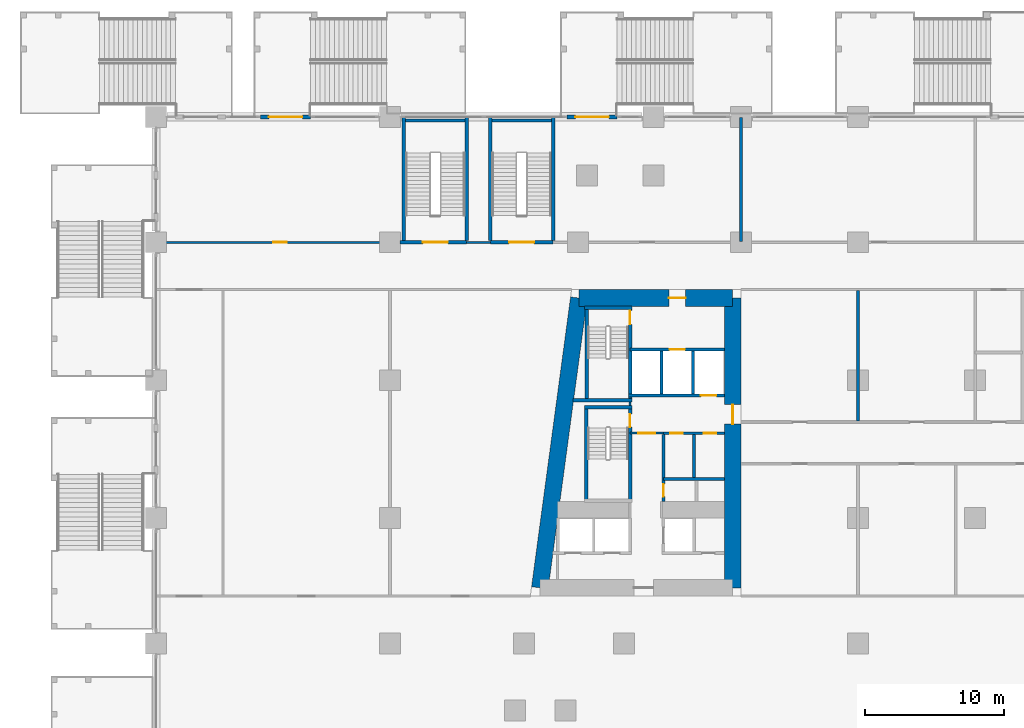
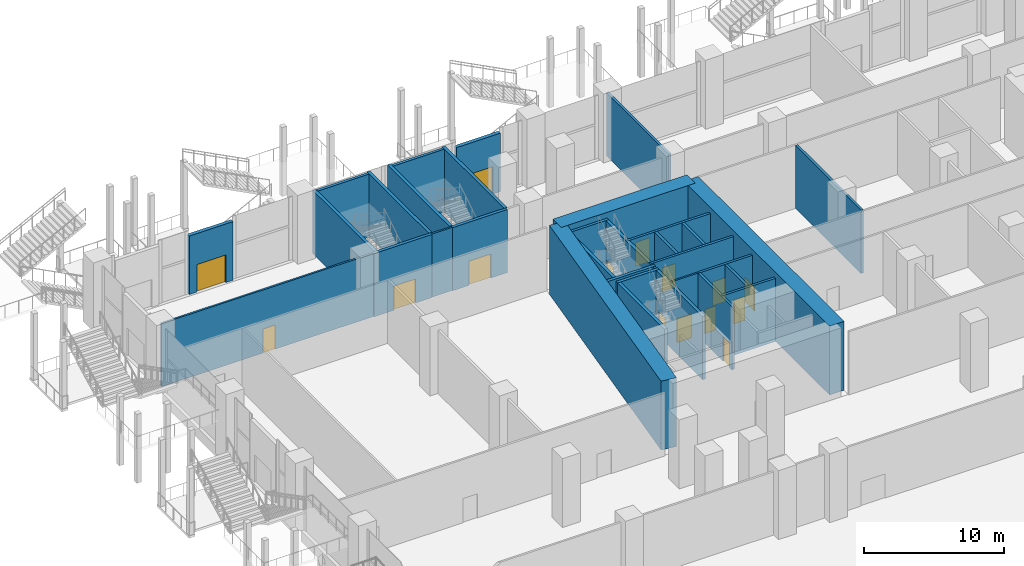
# One storey, part 26 of 49: 34 walls, 15 doors, 15 openings.
"""IFC4 building model written with IfcOpenShell, lengths in metres."""

from ifc_helpers import new_model, si_unit, direction, frame, frame_2d, origin, place, context, subcontext, project, spatial, rectangle, extrude, material, layer, layer_set, type_object, element, fill, save


model = new_model("IFC4")

# Units and contexts
model_context = context("Model", 3, precision=1e-05, world=origin(), true_north=direction((0.0, 1.0)))
body_context = subcontext(model_context, "Body", "Model", "MODEL_VIEW")
ifc_project = project(units=[si_unit("LENGTHUNIT", "METRE"), si_unit("AREAUNIT", "SQUARE_METRE"), si_unit("VOLUMEUNIT", "CUBIC_METRE"), si_unit("PLANEANGLEUNIT", "RADIAN"), si_unit("MASSUNIT", "GRAM", prefix="KILO")], contexts=[model_context])

# Site, building, storey
site_placement = place(None, origin())
site = spatial("IfcSite", under=ifc_project, at=site_placement, CompositionType="ELEMENT")
building_placement = place(site_placement, origin())
building = spatial("IfcBuilding", under=site, at=building_placement, Name="Candeia Pilgrim Tower and Theatre", CompositionType="ELEMENT")
storey_placement = place(building_placement, frame((0.0, 0.0, 17.0)))
storey = spatial("IfcBuildingStorey", under=building, at=storey_placement, Name="L02", CompositionType="ELEMENT", Elevation=17.0)

# Wall, opening, door
ifc_material_1 = material(Name="Concrete C80/95", Category="concrete")
ifc_layer_1 = layer(ifc_material_1, 1.199951171875)
ifc_layer_set_1 = layer_set([ifc_layer_1], Name="Core wall 1200 C80/95")
wall_type_1 = type_object("IfcWallType", Name="Core wall 1200 C80/95", PredefinedType="SHEAR", material=ifc_layer_set_1)
wall_1_placement = place(storey_placement, frame((89.155517578125, 131.800048828125, 0.0), z_axis=(0.0, 0.0, 1.0), x_axis=(1.0, 0.0, 0.0)))
wall_1 = element("IfcWall", 1, at=wall_1_placement, inside=storey, type_object=wall_type_1, Name="Core wall W1", PredefinedType="SHEAR", context=body_context, shape_type="SweptSolid", body=[
    extrude(rectangle(XDim=11.04443359375, YDim=1.199951171875, at=frame_2d((5.522216796875, 0.0))), origin(), (0.0, 0.0, 1.0), 6.0),
])
opening_1_placement = place(wall_1_placement, frame((6.4580078125, 0.0, 0.0)))
opening_1 = element("IfcOpeningElement", 2, at=opening_1_placement, cuts=wall_1, Name="Opening L02-D046", PredefinedType="OPENING", context=body_context, shape_type="SweptSolid", body=[
    extrude(rectangle(XDim=1.199951171875, YDim=2.10009765625, at=frame_2d((0.60009765625, 1.050048828125))), frame((0.0, 0.60986328125, 0.0), z_axis=(0.0, -1.0, 0.0), x_axis=(1.0, 0.0, 0.0)), (0.0, 0.0, 1.0), 1.219970703125),
])
ifc_material_2 = material(Name="Steel fire door set", Category="steel")
door_type_1 = type_object("IfcDoorType", Name="D-1200-FD60", OperationType="NOTDEFINED", PredefinedType="DOOR", material=ifc_material_2)
door_1_placement = place(opening_1_placement, origin())
door_1 = element("IfcDoor", 3, at=door_1_placement, inside=storey, type_object=door_type_1, Name="Door L02-D046", OperationType="SINGLE_SWING_RIGHT", OverallHeight=2.10009765625, OverallWidth=1.199951171875, PredefinedType="DOOR", context=body_context, shape_type="SweptSolid", body=[
    extrude(rectangle(XDim=1.199951171875, YDim=2.10009765625, at=frame_2d((0.60009765625, 1.050048828125))), frame((0.0, 0.02490234375, 0.0), z_axis=(0.0, -1.0, 0.0), x_axis=(1.0, 0.0, 0.0)), (0.0, 0.0, 1.0), 0.050048828125),
])
fill(opening_1, door_1)

wall_2_placement = place(storey_placement, frame((100.199951171875, 131.800048828125, 0.0), z_axis=(0.0, 0.0, 1.0), x_axis=(0.0, -1.0, 0.0)))
wall_2 = element("IfcWall", 4, at=wall_2_placement, inside=storey, type_object=wall_type_1, Name="Core wall W2", PredefinedType="SHEAR", context=body_context, shape_type="SweptSolid", body=[
    extrude(rectangle(XDim=20.800048828125, YDim=1.199951171875, at=frame_2d((10.39990234375, 0.0))), origin(), (0.0, 0.0, 1.0), 6.0),
])
opening_2_placement = place(wall_2_placement, frame((7.64990234375, 0.0, 0.0)))
opening_2 = element("IfcOpeningElement", 5, at=opening_2_placement, cuts=wall_2, Name="Opening L02-D047", PredefinedType="OPENING", context=body_context, shape_type="SweptSolid", body=[
    extrude(rectangle(XDim=1.39990234375, YDim=2.10009765625, at=frame_2d((0.699951171875, 1.050048828125))), frame((0.0, 0.60986328125, 0.0), z_axis=(0.0, -1.0, 0.0), x_axis=(1.0, 0.0, 0.0)), (0.0, 0.0, 1.0), 1.219970703125),
])
door_type_2 = type_object("IfcDoorType", Name="D-1400-FD60", OperationType="NOTDEFINED", PredefinedType="DOOR", material=ifc_material_2)
door_2_placement = place(opening_2_placement, origin())
door_2 = element("IfcDoor", 6, at=door_2_placement, inside=storey, type_object=door_type_2, Name="Door L02-D047", OperationType="SINGLE_SWING_LEFT", OverallHeight=2.10009765625, OverallWidth=1.39990234375, PredefinedType="DOOR", context=body_context, shape_type="SweptSolid", body=[
    extrude(rectangle(XDim=1.39990234375, YDim=2.10009765625, at=frame_2d((0.699951171875, 1.050048828125))), frame((0.0, 0.02490234375, 0.0), z_axis=(0.0, -1.0, 0.0), x_axis=(1.0, 0.0, 0.0)), (0.0, 0.0, 1.0), 0.050048828125),
])
fill(opening_2, door_2)

# Wall
wall_3_placement = place(storey_placement, frame((86.35546875, 111.0, 0.0), z_axis=(0.0, 0.0, 1.0), x_axis=(0.133413989637, 0.99106039542, 0.0)))
element("IfcWall", 7, at=wall_3_placement, inside=storey, type_object=wall_type_1, Name="Core wall W4", PredefinedType="SHEAR", context=body_context, shape_type="SweptSolid", body=[
    extrude(rectangle(XDim=20.987548828125, YDim=1.199951171875, at=frame_2d((10.49365234375, 0.0))), origin(), (0.0, 0.0, 1.0), 6.0),
])

# Wall, opening, door
ifc_material_3 = material(Name="Ceramic block masonry", Category="masonry")
ifc_layer_2 = layer(ifc_material_3, 0.300048828125)
ifc_layer_set_2 = layer_set([ifc_layer_2], Name="EW2 entrance infill wall 300")
wall_type_2 = type_object("IfcWallType", Name="EW2 entrance infill wall 300", PredefinedType="SOLIDWALL", material=ifc_layer_set_2)
wall_4_placement = place(storey_placement, frame((66.300048828125, 144.800048828125, 0.0), z_axis=(0.0, 0.0, 1.0), x_axis=(1.0, 0.0, 0.0)))
wall_4 = element("IfcWall", 8, at=wall_4_placement, inside=storey, type_object=wall_type_2, Name="Entrance wall L02", PredefinedType="SOLIDWALL", context=body_context, shape_type="SweptSolid", body=[
    extrude(rectangle(XDim=3.599853515625, YDim=0.300048828125, at=frame_2d((1.7998046875, 0.0))), origin(), (0.0, 0.0, 1.0), 5.10009765625),
])
opening_3_placement = place(wall_4_placement, frame((0.60009765625, 0.0, 0.0)))
opening_3 = element("IfcOpeningElement", 9, at=opening_3_placement, cuts=wall_4, Name="Opening L02-ED049", PredefinedType="OPENING", context=body_context, shape_type="SweptSolid", body=[
    extrude(rectangle(XDim=2.39990234375, YDim=2.39990234375, at=frame_2d((1.199951171875, 1.199951171875))), frame((0.0, 0.16015625, 0.0), z_axis=(0.0, -1.0, 0.0), x_axis=(1.0, 0.0, 0.0)), (0.0, 0.0, 1.0), 0.320068359375),
])
ifc_material_4 = material(Name="Aluminium framed glazed door", Category="aluminium")
door_type_3 = type_object("IfcDoorType", Name="ED entrance double door 2400x2400", OperationType="DOUBLE_DOOR_DOUBLE_SWING", PredefinedType="DOOR", material=ifc_material_4)
door_3_placement = place(opening_3_placement, origin())
door_3 = element("IfcDoor", 10, at=door_3_placement, inside=storey, type_object=door_type_3, Name="Entrance door L02-ED049", OperationType="DOUBLE_DOOR_DOUBLE_SWING", OverallHeight=2.39990234375, OverallWidth=2.39990234375, PredefinedType="DOOR", context=body_context, shape_type="SweptSolid", body=[
    extrude(rectangle(XDim=2.39990234375, YDim=2.39990234375, at=frame_2d((1.199951171875, 1.199951171875))), frame((0.0, 0.02490234375, 0.0), z_axis=(0.0, -1.0, 0.0), x_axis=(1.0, 0.0, 0.0)), (0.0, 0.0, 1.0), 0.050048828125),
])
fill(opening_3, door_3)

wall_5_placement = place(storey_placement, frame((88.300048828125, 144.800048828125, 0.0), z_axis=(0.0, 0.0, 1.0), x_axis=(1.0, 0.0, 0.0)))
wall_5 = element("IfcWall", 11, at=wall_5_placement, inside=storey, type_object=wall_type_2, Name="Entrance wall L02", PredefinedType="SOLIDWALL", context=body_context, shape_type="SweptSolid", body=[
    extrude(rectangle(XDim=3.599853515625, YDim=0.300048828125, at=frame_2d((1.7998046875, 0.0))), origin(), (0.0, 0.0, 1.0), 5.10009765625),
])
opening_4_placement = place(wall_5_placement, frame((0.60009765625, 0.0, 0.0)))
opening_4 = element("IfcOpeningElement", 12, at=opening_4_placement, cuts=wall_5, Name="Opening L02-ED050", PredefinedType="OPENING", context=body_context, shape_type="SweptSolid", body=[
    extrude(rectangle(XDim=2.39990234375, YDim=2.39990234375, at=frame_2d((1.199951171875, 1.199951171875))), frame((0.0, 0.16015625, 0.0), z_axis=(0.0, -1.0, 0.0), x_axis=(1.0, 0.0, 0.0)), (0.0, 0.0, 1.0), 0.320068359375),
])
door_4_placement = place(opening_4_placement, origin())
door_4 = element("IfcDoor", 13, at=door_4_placement, inside=storey, type_object=door_type_3, Name="Entrance door L02-ED050", OperationType="DOUBLE_DOOR_DOUBLE_SWING", OverallHeight=2.39990234375, OverallWidth=2.39990234375, PredefinedType="DOOR", context=body_context, shape_type="SweptSolid", body=[
    extrude(rectangle(XDim=2.39990234375, YDim=2.39990234375, at=frame_2d((1.199951171875, 1.199951171875))), frame((0.0, 0.02490234375, 0.0), z_axis=(0.0, -1.0, 0.0), x_axis=(1.0, 0.0, 0.0)), (0.0, 0.0, 1.0), 0.050048828125),
])
fill(opening_4, door_4)

ifc_material_5 = material(Name="Gypsum board partition on steel studs", Category="steel")
ifc_layer_3 = layer(ifc_material_5, 0.14990234375)
ifc_layer_set_3 = layer_set([ifc_layer_3], Name="PW-150 lobby wall")
wall_type_3 = type_object("IfcWallType", Name="PW-150 lobby wall", PredefinedType="PARTITIONING", material=ifc_layer_set_3)
wall_6_placement = place(storey_placement, frame((92.826904296875, 122.10009765625, 0.0), z_axis=(0.0, 0.0, 1.0), x_axis=(1.0, 0.0, 0.0)))
wall_6 = element("IfcWall", 14, at=wall_6_placement, inside=storey, type_object=wall_type_3, Name="Lobby wall L02-016", PredefinedType="PARTITIONING", context=body_context, shape_type="SweptSolid", body=[
    extrude(rectangle(XDim=2.400146484375, YDim=0.14990234375, at=frame_2d((1.2001953125, 0.0))), origin(), (0.0, 0.0, 1.0), 5.5),
])
opening_5_placement = place(wall_6_placement, frame((0.60009765625, 0.0, 0.0)))
opening_5 = element("IfcOpeningElement", 15, at=opening_5_placement, cuts=wall_6, Name="Opening L02-D030", PredefinedType="OPENING", context=body_context, shape_type="SweptSolid", body=[
    extrude(rectangle(XDim=1.199951171875, YDim=2.10009765625, at=frame_2d((0.60009765625, 1.050048828125))), frame((0.0, 0.0849609375, 0.0), z_axis=(0.0, -1.0, 0.0), x_axis=(1.0, 0.0, 0.0)), (0.0, 0.0, 1.0), 0.169921875),
])
door_5_placement = place(opening_5_placement, origin())
door_5 = element("IfcDoor", 16, at=door_5_placement, inside=storey, type_object=door_type_1, Name="Door L02-D030", OperationType="SINGLE_SWING_RIGHT", OverallHeight=2.10009765625, OverallWidth=1.199951171875, PredefinedType="DOOR", context=body_context, shape_type="SweptSolid", body=[
    extrude(rectangle(XDim=1.199951171875, YDim=2.10009765625, at=frame_2d((0.60009765625, 1.050048828125))), frame((0.0, 0.02490234375, 0.0), z_axis=(0.0, -1.0, 0.0), x_axis=(1.0, 0.0, 0.0)), (0.0, 0.0, 1.0), 0.050048828125),
])
fill(opening_5, door_5)

# Wall
wall_7_placement = place(storey_placement, frame((92.826904296875, 124.074951171875, 0.0), z_axis=(0.0, 0.0, 1.0), x_axis=(0.0, 1.0, 0.0)))
element("IfcWall", 17, at=wall_7_placement, inside=storey, type_object=wall_type_3, Name="Lobby wall L02-057", PredefinedType="PARTITIONING", context=body_context, shape_type="SweptSolid", body=[
    extrude(rectangle(XDim=0.25, YDim=0.14990234375, at=frame_2d((0.125, 0.0))), origin(), (0.0, 0.0, 1.0), 5.5),
])

# Wall, opening, door
ifc_layer_4 = layer(ifc_material_5, 0.14990234375)
ifc_layer_set_4 = layer_set([ifc_layer_4], Name="PW-150 unit wall")
wall_type_4 = type_object("IfcWallType", Name="PW-150 unit wall", PredefinedType="PARTITIONING", material=ifc_layer_set_4)
wall_8_placement = place(storey_placement, frame((58.85009765625, 135.800048828125, 0.0), z_axis=(0.0, 0.0, 1.0), x_axis=(1.0, 0.0, 0.0)))
wall_8 = element("IfcWall", 18, at=wall_8_placement, inside=storey, type_object=wall_type_4, Name="Unit wall L02-039", PredefinedType="PARTITIONING", context=body_context, shape_type="SweptSolid", body=[
    extrude(rectangle(XDim=17.469970703125, YDim=0.14990234375, at=frame_2d((8.73486328125, 0.0))), origin(), (0.0, 0.0, 1.0), 5.5),
])
opening_6_placement = place(wall_8_placement, frame((8.35009765625, 0.0, 0.0)))
opening_6 = element("IfcOpeningElement", 19, at=opening_6_placement, cuts=wall_8, Name="Opening L02-D022", PredefinedType="OPENING", context=body_context, shape_type="SweptSolid", body=[
    extrude(rectangle(XDim=1.0, YDim=2.10009765625, at=frame_2d((0.5, 1.050048828125))), frame((0.0, 0.0849609375, 0.0), z_axis=(0.0, -1.0, 0.0), x_axis=(1.0, 0.0, 0.0)), (0.0, 0.0, 1.0), 0.169921875),
])
door_type_4 = type_object("IfcDoorType", Name="D-1000-FD30S", OperationType="NOTDEFINED", PredefinedType="DOOR", material=ifc_material_2)
door_6_placement = place(opening_6_placement, origin())
door_6 = element("IfcDoor", 20, at=door_6_placement, inside=storey, type_object=door_type_4, Name="Door L02-D022", OperationType="SINGLE_SWING_RIGHT", OverallHeight=2.10009765625, OverallWidth=1.0, PredefinedType="DOOR", context=body_context, shape_type="SweptSolid", body=[
    extrude(rectangle(XDim=1.0, YDim=2.10009765625, at=frame_2d((0.5, 1.050048828125))), frame((0.0, 0.02490234375, 0.0), z_axis=(0.0, -1.0, 0.0), x_axis=(1.0, 0.0, 0.0)), (0.0, 0.0, 1.0), 0.050048828125),
])
fill(opening_6, door_6)

# Walls
wall_9_placement = place(storey_placement, frame((81.10009765625, 135.800048828125, 0.0), z_axis=(0.0, 0.0, 1.0), x_axis=(1.0, 0.0, 0.0)))
element("IfcWall", 21, at=wall_9_placement, inside=storey, type_object=wall_type_4, Name="Unit wall L02-040", PredefinedType="PARTITIONING", context=body_context, shape_type="SweptSolid", body=[
    extrude(rectangle(XDim=1.699951171875, YDim=0.14990234375, at=frame_2d((0.85009765625, 0.0))), origin(), (0.0, 0.0, 1.0), 5.5),
])
ifc_layer_5 = layer(ifc_material_5, 0.199951171875)
ifc_layer_set_5 = layer_set([ifc_layer_5], Name="PW-200 party wall")
wall_type_5 = type_object("IfcWallType", Name="PW-200 party wall", PredefinedType="PARTITIONING", material=ifc_layer_set_5)
wall_10_placement = place(storey_placement, frame((100.800048828125, 135.875, 0.0), z_axis=(0.0, 0.0, 1.0), x_axis=(0.0, 1.0, 0.0)))
element("IfcWall", 22, at=wall_10_placement, inside=storey, type_object=wall_type_5, Name="Party wall L02-068", PredefinedType="PARTITIONING", context=body_context, shape_type="SweptSolid", body=[
    extrude(rectangle(XDim=8.875, YDim=0.199951171875, at=frame_2d((4.4375, 0.0))), origin(), (0.0, 0.0, 1.0), 5.5),
])
wall_11_placement = place(storey_placement, frame((109.199951171875, 122.97509765625, 0.0), z_axis=(0.0, 0.0, 1.0), x_axis=(0.0, 1.0, 0.0)))
element("IfcWall", 23, at=wall_11_placement, inside=storey, type_object=wall_type_5, Name="Party wall L02-070", PredefinedType="PARTITIONING", context=body_context, shape_type="SweptSolid", body=[
    extrude(rectangle(XDim=9.349853515625, YDim=0.199951171875, at=frame_2d((4.6748046875, 0.0))), origin(), (0.0, 0.0, 1.0), 5.5),
])
ifc_material_6 = material(Name="Concrete C40/50", Category="concrete")
ifc_layer_6 = layer(ifc_material_6, 0.199951171875)
ifc_layer_set_6 = layer_set([ifc_layer_6], Name="SW-200 shaft wall")
wall_type_6 = type_object("IfcWallType", Name="SW-200 shaft wall", PredefinedType="PARTITIONING", material=ifc_layer_set_6)
wall_12_placement = place(storey_placement, frame((95.22705078125, 118.800048828125, 0.0), z_axis=(0.0, 0.0, 1.0), x_axis=(1.0, 0.0, 0.0)))
element("IfcWall", 24, at=wall_12_placement, inside=storey, type_object=wall_type_6, Name="Shaft wall L02-011", PredefinedType="PARTITIONING", context=body_context, shape_type="SweptSolid", body=[
    extrude(rectangle(XDim=4.373046875, YDim=0.199951171875, at=frame_2d((2.1865234375, 0.0))), origin(), (0.0, 0.0, 1.0), 5.5),
])

# Wall, openings, doors
wall_13_placement = place(storey_placement, frame((95.22705078125, 122.10009765625, 0.0), z_axis=(0.0, 0.0, 1.0), x_axis=(1.0, 0.0, 0.0)))
wall_13 = element("IfcWall", 25, at=wall_13_placement, inside=storey, type_object=wall_type_6, Name="Shaft wall L02-014", PredefinedType="PARTITIONING", context=body_context, shape_type="SweptSolid", body=[
    extrude(rectangle(XDim=4.373046875, YDim=0.199951171875, at=frame_2d((2.1865234375, 0.0))), origin(), (0.0, 0.0, 1.0), 5.5),
])
opening_7_placement = place(wall_13_placement, frame((0.4970703125, 0.0, 0.0)))
opening_7 = element("IfcOpeningElement", 26, at=opening_7_placement, cuts=wall_13, Name="Opening L02-D031", PredefinedType="OPENING", context=body_context, shape_type="SweptSolid", body=[
    extrude(rectangle(XDim=0.89990234375, YDim=2.10009765625, at=frame_2d((0.449951171875, 1.050048828125))), frame((0.0, 0.10986328125, 0.0), z_axis=(0.0, -1.0, 0.0), x_axis=(1.0, 0.0, 0.0)), (0.0, 0.0, 1.0), 0.219970703125),
])
opening_8_placement = place(wall_13_placement, frame((2.887939453125, 0.0, 0.0)))
opening_8 = element("IfcOpeningElement", 27, at=opening_8_placement, cuts=wall_13, Name="Opening L02-D032", PredefinedType="OPENING", context=body_context, shape_type="SweptSolid", body=[
    extrude(rectangle(XDim=0.89990234375, YDim=2.10009765625, at=frame_2d((0.449951171875, 1.050048828125))), frame((0.0, 0.10986328125, 0.0), z_axis=(0.0, -1.0, 0.0), x_axis=(1.0, 0.0, 0.0)), (0.0, 0.0, 1.0), 0.219970703125),
])
door_type_5 = type_object("IfcDoorType", Name="D-900-FD60", OperationType="NOTDEFINED", PredefinedType="DOOR", material=ifc_material_2)
door_7_placement = place(opening_7_placement, origin())
door_7 = element("IfcDoor", 28, at=door_7_placement, inside=storey, type_object=door_type_5, Name="Door L02-D031", OperationType="SINGLE_SWING_LEFT", OverallHeight=2.10009765625, OverallWidth=0.89990234375, PredefinedType="DOOR", context=body_context, shape_type="SweptSolid", body=[
    extrude(rectangle(XDim=0.89990234375, YDim=2.10009765625, at=frame_2d((0.449951171875, 1.050048828125))), frame((0.0, 0.02490234375, 0.0), z_axis=(0.0, -1.0, 0.0), x_axis=(1.0, 0.0, 0.0)), (0.0, 0.0, 1.0), 0.050048828125),
])
fill(opening_7, door_7)
door_8_placement = place(opening_8_placement, origin())
door_8 = element("IfcDoor", 29, at=door_8_placement, inside=storey, type_object=door_type_5, Name="Door L02-D032", OperationType="SINGLE_SWING_RIGHT", OverallHeight=2.10009765625, OverallWidth=0.89990234375, PredefinedType="DOOR", context=body_context, shape_type="SweptSolid", body=[
    extrude(rectangle(XDim=0.89990234375, YDim=2.10009765625, at=frame_2d((0.449951171875, 1.050048828125))), frame((0.0, 0.02490234375, 0.0), z_axis=(0.0, -1.0, 0.0), x_axis=(1.0, 0.0, 0.0)), (0.0, 0.0, 1.0), 0.050048828125),
])
fill(opening_8, door_8)

# Wall, opening, door
wall_14_placement = place(storey_placement, frame((92.701904296875, 124.800048828125, 0.0), z_axis=(0.0, 0.0, 1.0), x_axis=(1.0, 0.0, 0.0)))
wall_14 = element("IfcWall", 30, at=wall_14_placement, inside=storey, type_object=wall_type_6, Name="Shaft wall L02-023", PredefinedType="PARTITIONING", context=body_context, shape_type="SweptSolid", body=[
    extrude(rectangle(XDim=6.898193359375, YDim=0.199951171875, at=frame_2d((3.44921875, 0.0))), origin(), (0.0, 0.0, 1.0), 5.5),
])
opening_9_placement = place(wall_14_placement, frame((5.218994140625, 0.0, 0.0)))
opening_9 = element("IfcOpeningElement", 31, at=opening_9_placement, cuts=wall_14, Name="Opening L02-LD02", PredefinedType="OPENING", context=body_context, shape_type="SweptSolid", body=[
    extrude(rectangle(XDim=1.10009765625, YDim=2.10009765625, at=frame_2d((0.550048828125, 1.050048828125))), frame((0.0, 0.10986328125, 0.0), z_axis=(0.0, -1.0, 0.0), x_axis=(1.0, 0.0, 0.0)), (0.0, 0.0, 1.0), 0.219970703125),
])
ifc_material_7 = material(Name="Glazed aluminium landing door", Category="aluminium")
door_type_6 = type_object("IfcDoorType", Name="LD-1100-EI120", OperationType="SLIDING_TO_LEFT", PredefinedType="DOOR", material=ifc_material_7)
door_9_placement = place(opening_9_placement, origin())
door_9 = element("IfcDoor", 32, at=door_9_placement, inside=storey, type_object=door_type_6, Name="Landing door 02 L02", OperationType="SLIDING_TO_LEFT", OverallHeight=2.10009765625, OverallWidth=1.10009765625, PredefinedType="DOOR", context=body_context, shape_type="SweptSolid", body=[
    extrude(rectangle(XDim=1.10009765625, YDim=2.10009765625, at=frame_2d((0.550048828125, 1.050048828125))), frame((0.0, 0.02490234375, 0.0), z_axis=(0.0, -1.0, 0.0), x_axis=(1.0, 0.0, 0.0)), (0.0, 0.0, 1.0), 0.050048828125),
])
fill(opening_9, door_9)

wall_15_placement = place(storey_placement, frame((92.826904296875, 128.10009765625, 0.0), z_axis=(0.0, 0.0, 1.0), x_axis=(1.0, 0.0, 0.0)))
wall_15 = element("IfcWall", 33, at=wall_15_placement, inside=storey, type_object=wall_type_6, Name="Shaft wall L02-027", PredefinedType="PARTITIONING", context=body_context, shape_type="SweptSolid", body=[
    extrude(rectangle(XDim=6.773193359375, YDim=0.199951171875, at=frame_2d((3.38671875, 0.0))), origin(), (0.0, 0.0, 1.0), 5.5),
])
opening_10_placement = place(wall_15_placement, frame((2.8359375, 0.0, 0.0)))
opening_10 = element("IfcOpeningElement", 34, at=opening_10_placement, cuts=wall_15, Name="Opening L02-LD01", PredefinedType="OPENING", context=body_context, shape_type="SweptSolid", body=[
    extrude(rectangle(XDim=1.10009765625, YDim=2.10009765625, at=frame_2d((0.550048828125, 1.050048828125))), frame((0.0, 0.10986328125, 0.0), z_axis=(0.0, -1.0, 0.0), x_axis=(1.0, 0.0, 0.0)), (0.0, 0.0, 1.0), 0.219970703125),
])
door_10_placement = place(opening_10_placement, origin())
door_10 = element("IfcDoor", 35, at=door_10_placement, inside=storey, type_object=door_type_6, Name="Landing door 01 L02", OperationType="SLIDING_TO_LEFT", OverallHeight=2.10009765625, OverallWidth=1.10009765625, PredefinedType="DOOR", context=body_context, shape_type="SweptSolid", body=[
    extrude(rectangle(XDim=1.10009765625, YDim=2.10009765625, at=frame_2d((0.550048828125, 1.050048828125))), frame((0.0, 0.02490234375, 0.0), z_axis=(0.0, -1.0, 0.0), x_axis=(1.0, 0.0, 0.0)), (0.0, 0.0, 1.0), 0.050048828125),
])
fill(opening_10, door_10)

# Wall
wall_16_placement = place(storey_placement, frame((95.084716796875, 124.89990234375, 0.0), z_axis=(0.0, 0.0, 1.0), x_axis=(0.0, 1.0, 0.0)))
element("IfcWall", 36, at=wall_16_placement, inside=storey, type_object=wall_type_6, Name="Shaft wall L02-060", PredefinedType="PARTITIONING", context=body_context, shape_type="SweptSolid", body=[
    extrude(rectangle(XDim=3.10009765625, YDim=0.199951171875, at=frame_2d((1.550048828125, 0.0))), origin(), (0.0, 0.0, 1.0), 5.5),
])

# Wall, opening, door
wall_17_placement = place(storey_placement, frame((95.22705078125, 117.199951171875, 0.0), z_axis=(0.0, 0.0, 1.0), x_axis=(0.0, 1.0, 0.0)))
wall_17 = element("IfcWall", 37, at=wall_17_placement, inside=storey, type_object=wall_type_6, Name="Shaft wall L02-063", PredefinedType="PARTITIONING", context=body_context, shape_type="SweptSolid", body=[
    extrude(rectangle(XDim=4.800048828125, YDim=0.199951171875, at=frame_2d((2.39990234375, 0.0))), origin(), (0.0, 0.0, 1.0), 5.5),
])
opening_11_placement = place(wall_17_placement, frame((0.35009765625, 0.0, 0.0)))
opening_11 = element("IfcOpeningElement", 38, at=opening_11_placement, cuts=wall_17, Name="Opening L02-D035", PredefinedType="OPENING", context=body_context, shape_type="SweptSolid", body=[
    extrude(rectangle(XDim=0.89990234375, YDim=2.10009765625, at=frame_2d((0.449951171875, 1.050048828125))), frame((0.0, 0.10986328125, 0.0), z_axis=(0.0, -1.0, 0.0), x_axis=(1.0, 0.0, 0.0)), (0.0, 0.0, 1.0), 0.219970703125),
])
door_11_placement = place(opening_11_placement, origin())
door_11 = element("IfcDoor", 39, at=door_11_placement, inside=storey, type_object=door_type_5, Name="Door L02-D035", OperationType="SINGLE_SWING_LEFT", OverallHeight=2.10009765625, OverallWidth=0.89990234375, PredefinedType="DOOR", context=body_context, shape_type="SweptSolid", body=[
    extrude(rectangle(XDim=0.89990234375, YDim=2.10009765625, at=frame_2d((0.449951171875, 1.050048828125))), frame((0.0, 0.02490234375, 0.0), z_axis=(0.0, -1.0, 0.0), x_axis=(1.0, 0.0, 0.0)), (0.0, 0.0, 1.0), 0.050048828125),
])
fill(opening_11, door_11)

# Walls
for number, where, z_axis, x_axis, name in (
    (40, (97.34228515625, 124.89990234375, 0.0), (0.0, 0.0, 1.0), (0.0, 1.0, 0.0), "Shaft wall L02-064"),
    (41, (97.41357421875, 118.89990234375, 0.0), (0.0, 0.0, 1.0), (0.0, 1.0, 0.0), "Shaft wall L02-066"),
):
    element("IfcWall", number, at=place(storey_placement, frame(where, z_axis=z_axis, x_axis=x_axis)), inside=storey, type_object=wall_type_6, Name=name, PredefinedType="PARTITIONING", context=body_context, shape_type="SweptSolid", body=[
        extrude(rectangle(XDim=3.10009765625, YDim=0.199951171875, at=frame_2d((1.550048828125, 0.0))), origin(), (0.0, 0.0, 1.0), 5.5),
    ])
ifc_layer_7 = layer(ifc_material_6, 0.25)
ifc_layer_set_7 = layer_set([ifc_layer_7], Name="SW-250 stair wall")
wall_type_7 = type_object("IfcWallType", Name="SW-250 stair wall", PredefinedType="PARTITIONING", material=ifc_layer_set_7)
wall_18_placement = place(storey_placement, frame((89.552001953125, 123.949951171875, 0.0), z_axis=(0.0, 0.0, 1.0), x_axis=(1.0, 0.0, 0.0)))
element("IfcWall", 42, at=wall_18_placement, inside=storey, type_object=wall_type_7, Name="Stair wall L02-019", PredefinedType="PARTITIONING", context=body_context, shape_type="SweptSolid", body=[
    extrude(rectangle(XDim=3.39990234375, YDim=0.25, at=frame_2d((1.699951171875, 0.0))), origin(), (0.0, 0.0, 1.0), 5.5),
])
wall_19_placement = place(storey_placement, frame((88.741455078125, 124.449951171875, 0.0), z_axis=(0.0, 0.0, 1.0), x_axis=(1.0, 0.0, 0.0)))
element("IfcWall", 43, at=wall_19_placement, inside=storey, type_object=wall_type_7, Name="Stair wall L02-021", PredefinedType="PARTITIONING", context=body_context, shape_type="SweptSolid", body=[
    extrude(rectangle(XDim=4.21044921875, YDim=0.25, at=frame_2d((2.105224609375, 0.0))), origin(), (0.0, 0.0, 1.0), 5.5),
])
wall_20_placement = place(storey_placement, frame((89.552001953125, 131.10107421875, 0.0), z_axis=(0.0, 0.0, 1.0), x_axis=(1.0, 0.0, 0.0)))
element("IfcWall", 44, at=wall_20_placement, inside=storey, type_object=wall_type_7, Name="Stair wall L02-030", PredefinedType="PARTITIONING", context=body_context, shape_type="SweptSolid", body=[
    extrude(rectangle(XDim=3.39990234375, YDim=0.25, at=frame_2d((1.699951171875, 0.0))), origin(), (0.0, 0.0, 1.0), 5.5),
])

# Wall, opening, door
wall_21_placement = place(storey_placement, frame((76.320068359375, 135.800048828125, 0.0), z_axis=(0.0, 0.0, 1.0), x_axis=(1.0, 0.0, 0.0)))
wall_21 = element("IfcWall", 45, at=wall_21_placement, inside=storey, type_object=wall_type_7, Name="Stair wall L02-035", PredefinedType="PARTITIONING", context=body_context, shape_type="SweptSolid", body=[
    extrude(rectangle(XDim=4.780029296875, YDim=0.25, at=frame_2d((2.39013671875, 0.0))), origin(), (0.0, 0.0, 1.0), 5.5),
])
opening_12_placement = place(wall_21_placement, frame((1.6298828125, 0.0, 0.0)))
opening_12 = element("IfcOpeningElement", 46, at=opening_12_placement, cuts=wall_21, Name="Opening L02-D018", PredefinedType="OPENING", context=body_context, shape_type="SweptSolid", body=[
    extrude(rectangle(XDim=1.800048828125, YDim=2.10009765625, at=frame_2d((0.89990234375, 1.050048828125))), frame((0.0, 0.135009765625, 0.0), z_axis=(0.0, -1.0, 0.0), x_axis=(1.0, 0.0, 0.0)), (0.0, 0.0, 1.0), 0.27001953125),
])
ifc_material_8 = material(Name="Steel exit door", Category="steel")
door_type_7 = type_object("IfcDoorType", Name="DX-1800-FD60", OperationType="NOTDEFINED", PredefinedType="DOOR", material=ifc_material_8)
door_12_placement = place(opening_12_placement, origin())
door_12 = element("IfcDoor", 47, at=door_12_placement, inside=storey, type_object=door_type_7, Name="Door L02-D018", OperationType="SINGLE_SWING_RIGHT", OverallHeight=2.10009765625, OverallWidth=1.800048828125, PredefinedType="DOOR", context=body_context, shape_type="SweptSolid", body=[
    extrude(rectangle(XDim=1.800048828125, YDim=2.10009765625, at=frame_2d((0.89990234375, 1.050048828125))), frame((0.0, 0.02490234375, 0.0), z_axis=(0.0, -1.0, 0.0), x_axis=(1.0, 0.0, 0.0)), (0.0, 0.0, 1.0), 0.050048828125),
])
fill(opening_12, door_12)

wall_22_placement = place(storey_placement, frame((82.800048828125, 135.800048828125, 0.0), z_axis=(0.0, 0.0, 1.0), x_axis=(1.0, 0.0, 0.0)))
wall_22 = element("IfcWall", 48, at=wall_22_placement, inside=storey, type_object=wall_type_7, Name="Stair wall L02-036", PredefinedType="PARTITIONING", context=body_context, shape_type="SweptSolid", body=[
    extrude(rectangle(XDim=4.5, YDim=0.25, at=frame_2d((2.25, 0.0))), origin(), (0.0, 0.0, 1.0), 5.5),
])
opening_13_placement = place(wall_22_placement, frame((1.35009765625, 0.0, 0.0)))
opening_13 = element("IfcOpeningElement", 49, at=opening_13_placement, cuts=wall_22, Name="Opening L02-D019", PredefinedType="OPENING", context=body_context, shape_type="SweptSolid", body=[
    extrude(rectangle(XDim=1.800048828125, YDim=2.10009765625, at=frame_2d((0.89990234375, 1.050048828125))), frame((0.0, 0.135009765625, 0.0), z_axis=(0.0, -1.0, 0.0), x_axis=(1.0, 0.0, 0.0)), (0.0, 0.0, 1.0), 0.27001953125),
])
door_13_placement = place(opening_13_placement, origin())
door_13 = element("IfcDoor", 50, at=door_13_placement, inside=storey, type_object=door_type_7, Name="Door L02-D019", OperationType="SINGLE_SWING_LEFT", OverallHeight=2.10009765625, OverallWidth=1.800048828125, PredefinedType="DOOR", context=body_context, shape_type="SweptSolid", body=[
    extrude(rectangle(XDim=1.800048828125, YDim=2.10009765625, at=frame_2d((0.89990234375, 1.050048828125))), frame((0.0, 0.02490234375, 0.0), z_axis=(0.0, -1.0, 0.0), x_axis=(1.0, 0.0, 0.0)), (0.0, 0.0, 1.0), 0.050048828125),
])
fill(opening_13, door_13)

# Walls
for number, where, z_axis, x_axis, name in (
    (51, (76.60009765625, 135.925048828125, 0.0), (0.0, 0.0, 1.0), (0.0, 1.0, 0.0), "Stair wall L02-046"),
    (52, (81.10009765625, 135.925048828125, 0.0), (0.0, 0.0, 1.0), (0.0, 1.0, 0.0), "Stair wall L02-047"),
    (53, (82.800048828125, 135.925048828125, 0.0), (0.0, 0.0, 1.0), (0.0, 1.0, 0.0), "Stair wall L02-048"),
    (54, (87.300048828125, 135.925048828125, 0.0), (0.0, 0.0, 1.0), (0.0, 1.0, 0.0), "Stair wall L02-049"),
):
    element("IfcWall", number, at=place(storey_placement, frame(where, z_axis=z_axis, x_axis=x_axis)), inside=storey, type_object=wall_type_7, Name=name, PredefinedType="PARTITIONING", context=body_context, shape_type="SweptSolid", body=[
        extrude(rectangle(XDim=8.824951171875, YDim=0.25, at=frame_2d((4.41259765625, 0.0))), origin(), (0.0, 0.0, 1.0), 5.5),
    ])
wall_23_placement = place(storey_placement, frame((89.677001953125, 117.169921875, 0.0), z_axis=(0.0, 0.0, 1.0), x_axis=(0.0, 1.0, 0.0)))
element("IfcWall", 55, at=wall_23_placement, inside=storey, type_object=wall_type_7, Name="Stair wall L02-052", PredefinedType="PARTITIONING", context=body_context, shape_type="SweptSolid", body=[
    extrude(rectangle(XDim=6.655029296875, YDim=0.25, at=frame_2d((3.32763671875, 0.0))), origin(), (0.0, 0.0, 1.0), 5.5),
])
wall_24_placement = place(storey_placement, frame((89.707275390625, 124.574951171875, 0.0), z_axis=(0.0, 0.0, 1.0), x_axis=(0.0, 1.0, 0.0)))
element("IfcWall", 56, at=wall_24_placement, inside=storey, type_object=wall_type_7, Name="Stair wall L02-053", PredefinedType="PARTITIONING", context=body_context, shape_type="SweptSolid", body=[
    extrude(rectangle(XDim=6.5, YDim=0.25, at=frame_2d((3.25, 0.0))), origin(), (0.0, 0.0, 1.0), 5.5),
])

# Wall, opening, door
wall_25_placement = place(storey_placement, frame((92.826904296875, 117.169921875, 0.0), z_axis=(0.0, 0.0, 1.0), x_axis=(0.0, 1.0, 0.0)))
wall_25 = element("IfcWall", 57, at=wall_25_placement, inside=storey, type_object=wall_type_7, Name="Stair wall L02-058", PredefinedType="PARTITIONING", context=body_context, shape_type="SweptSolid", body=[
    extrude(rectangle(XDim=6.655029296875, YDim=0.25, at=frame_2d((3.32763671875, 0.0))), origin(), (0.0, 0.0, 1.0), 5.5),
])
opening_14_placement = place(wall_25_placement, frame((5.35498046875, 0.0, 0.0)))
opening_14 = element("IfcOpeningElement", 58, at=opening_14_placement, cuts=wall_25, Name="Opening L02-D033", PredefinedType="OPENING", context=body_context, shape_type="SweptSolid", body=[
    extrude(rectangle(XDim=0.949951171875, YDim=2.10009765625, at=frame_2d((0.47509765625, 1.050048828125))), frame((0.0, 0.135009765625, 0.0), z_axis=(0.0, -1.0, 0.0), x_axis=(1.0, 0.0, 0.0)), (0.0, 0.0, 1.0), 0.27001953125),
])
door_type_8 = type_object("IfcDoorType", Name="D-950-FD60", OperationType="NOTDEFINED", PredefinedType="DOOR", material=ifc_material_2)
door_14_placement = place(opening_14_placement, origin())
door_14 = element("IfcDoor", 59, at=door_14_placement, inside=storey, type_object=door_type_8, Name="Door L02-D033", OperationType="SINGLE_SWING_LEFT", OverallHeight=2.10009765625, OverallWidth=0.949951171875, PredefinedType="DOOR", context=body_context, shape_type="SweptSolid", body=[
    extrude(rectangle(XDim=0.949951171875, YDim=2.10009765625, at=frame_2d((0.47509765625, 1.050048828125))), frame((0.0, 0.02490234375, 0.0), z_axis=(0.0, -1.0, 0.0), x_axis=(1.0, 0.0, 0.0)), (0.0, 0.0, 1.0), 0.050048828125),
])
fill(opening_14, door_14)

wall_26_placement = place(storey_placement, frame((92.826904296875, 124.574951171875, 0.0), z_axis=(0.0, 0.0, 1.0), x_axis=(0.0, 1.0, 0.0)))
wall_26 = element("IfcWall", 60, at=wall_26_placement, inside=storey, type_object=wall_type_7, Name="Stair wall L02-059", PredefinedType="PARTITIONING", context=body_context, shape_type="SweptSolid", body=[
    extrude(rectangle(XDim=6.655029296875, YDim=0.25, at=frame_2d((3.32763671875, 0.0))), origin(), (0.0, 0.0, 1.0), 5.5),
])
opening_15_placement = place(wall_26_placement, frame((5.324951171875, 0.0, 0.0)))
opening_15 = element("IfcOpeningElement", 61, at=opening_15_placement, cuts=wall_26, Name="Opening L02-D034", PredefinedType="OPENING", context=body_context, shape_type="SweptSolid", body=[
    extrude(rectangle(XDim=1.0, YDim=2.10009765625, at=frame_2d((0.5, 1.050048828125))), frame((0.0, 0.135009765625, 0.0), z_axis=(0.0, -1.0, 0.0), x_axis=(1.0, 0.0, 0.0)), (0.0, 0.0, 1.0), 0.27001953125),
])
door_type_9 = type_object("IfcDoorType", Name="D-1000-FD60", OperationType="NOTDEFINED", PredefinedType="DOOR", material=ifc_material_2)
door_15_placement = place(opening_15_placement, origin())
door_15 = element("IfcDoor", 62, at=door_15_placement, inside=storey, type_object=door_type_9, Name="Door L02-D034", OperationType="SINGLE_SWING_RIGHT", OverallHeight=2.10009765625, OverallWidth=1.0, PredefinedType="DOOR", context=body_context, shape_type="SweptSolid", body=[
    extrude(rectangle(XDim=1.0, YDim=2.10009765625, at=frame_2d((0.5, 1.050048828125))), frame((0.0, 0.02490234375, 0.0), z_axis=(0.0, -1.0, 0.0), x_axis=(1.0, 0.0, 0.0)), (0.0, 0.0, 1.0), 0.050048828125),
])
fill(opening_15, door_15)

# Walls
for number, where, z_axis, x_axis, name in (
    (63, (76.72509765625, 144.53759765625, 0.0), (0.0, 0.0, 1.0), (1.0, 0.0, 0.0), "Stair back wall PS1 L02"),
    (64, (82.925048828125, 144.53759765625, 0.0), (0.0, 0.0, 1.0), (1.0, 0.0, 0.0), "Stair back wall PS2 L02"),
):
    element("IfcWall", number, at=place(storey_placement, frame(where, z_axis=z_axis, x_axis=x_axis)), inside=storey, type_object=wall_type_7, Name=name, PredefinedType="PARTITIONING", context=body_context, shape_type="SweptSolid", body=[
        extrude(rectangle(XDim=4.25, YDim=0.22509765625, at=frame_2d((2.125, 0.0))), origin(), (0.0, 0.0, 1.0), 5.5),
    ])

save(model, "model.ifc")
